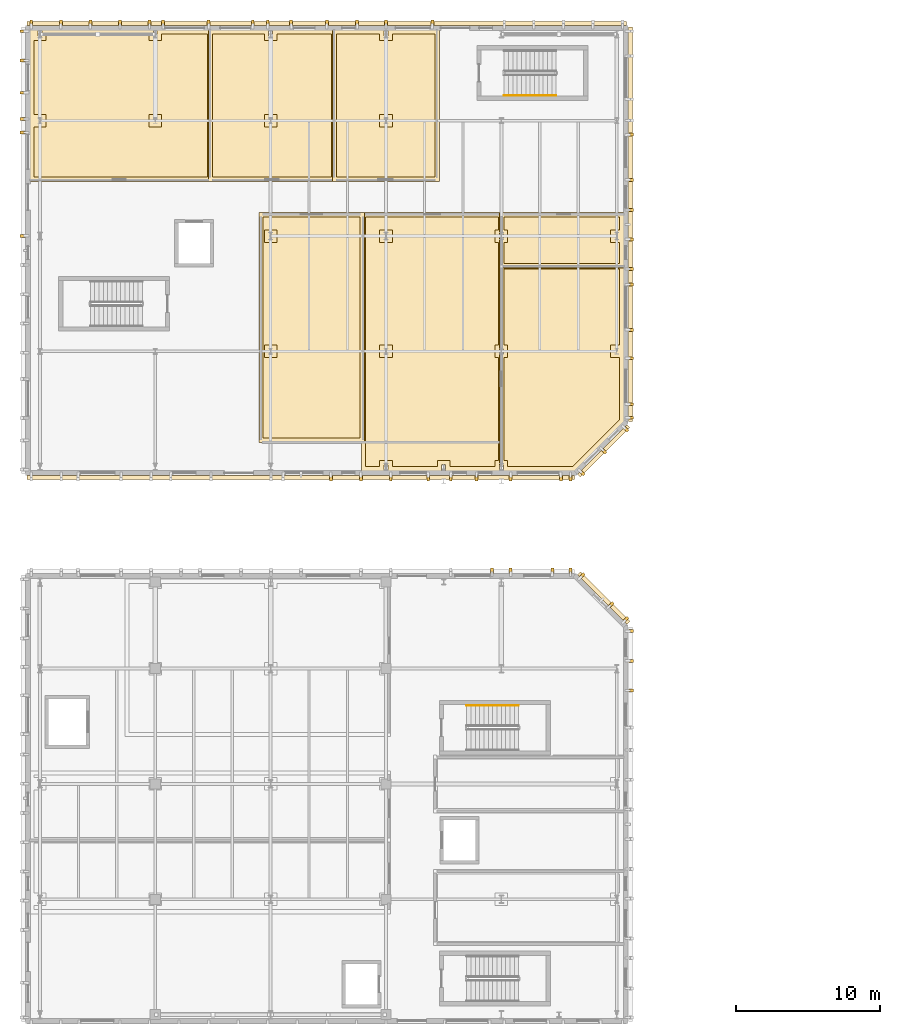
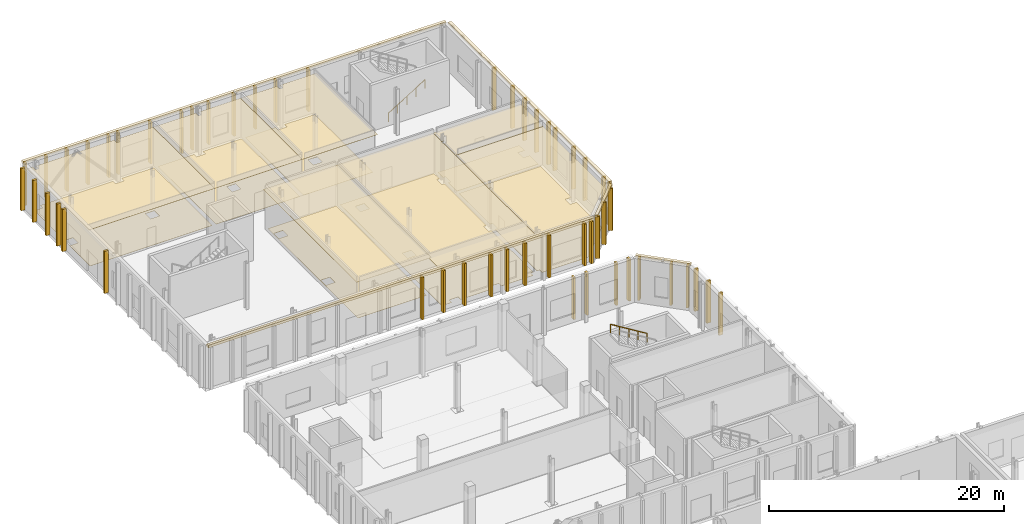
# One storey, part 55 of 60: 71 coverings, 2 railings.
"""IFC4 building model written with IfcOpenShell, lengths in metres."""

from ifc_helpers import new_model, si_unit, direction, frame, origin, origin_2d, place, context, subcontext, project, spatial, polyline, rectangle, circle, outline, extrude, material, layer, layer_set, type_object, element, save


model = new_model("IFC4")

# Units and contexts
model_context = context("Model", 3, precision=1e-05, world=origin(), true_north=direction((0.0, 1.0)))
body_context = subcontext(model_context, "Body", "Model", "MODEL_VIEW")
ifc_project = project(units=[si_unit("LENGTHUNIT", "METRE"), si_unit("AREAUNIT", "SQUARE_METRE"), si_unit("VOLUMEUNIT", "CUBIC_METRE"), si_unit("PLANEANGLEUNIT", "RADIAN"), si_unit("MASSUNIT", "GRAM", prefix="KILO")], contexts=[model_context])

# Site, building, storey
site_placement = place(None, origin())
site = spatial("IfcSite", under=ifc_project, at=site_placement, CompositionType="ELEMENT")
building_placement = place(site_placement, origin())
building = spatial("IfcBuilding", under=site, at=building_placement, Name="Cymarion Research Institute", CompositionType="ELEMENT")
storey_placement = place(building_placement, origin())
storey = spatial("IfcBuildingStorey", under=building, at=storey_placement, Name="L00", CompositionType="ELEMENT", Elevation=0.0)

# Coverings
ifc_material_1 = material(Name="Micro-perforated mineral acoustic ceiling tile", Category="gypsum")
ifc_layer_1 = layer(ifc_material_1, 0.030029296875)
ifc_layer_set_1 = layer_set([ifc_layer_1], Name="Micro-perforated mineral acoustic ceiling tile")
covering_type_1 = type_object("IfcCoveringType", Name="ACOUSTIC MICRO-PERFORATED SUSPENDED CEILING CLG-01", PredefinedType="CEILING", material=ifc_layer_set_1)
covering_1_placement = place(storey_placement, frame((0.0, 0.0, 4.0)))
element("IfcCovering", 1, at=covering_1_placement, inside=storey, type_object=covering_type_1, Name="L00 L00 Climate & Earth-System Dry Modelling Laboratory acoustic ceiling", PredefinedType="CEILING", context=body_context, shape_type="SweptSolid", body=[
    extrude(outline(polyline([(29.114990234375, 103.114990234375), (29.114990234375, 87.18505859375), (21.784912109375, 87.18505859375), (21.784912109375, 103.114990234375), (29.114990234375, 103.114990234375)])), origin(), (0.0, 0.0, 1.0), 0.030029296875),
])
covering_2_placement = place(storey_placement, frame((0.0, 0.0, 4.0)))
element("IfcCovering", 2, at=covering_2_placement, inside=storey, type_object=covering_type_1, Name="L00 L00 High-Performance Computing & Cryo-Data Room acoustic ceiling", PredefinedType="CEILING", context=body_context, shape_type="SweptSolid", body=[
    extrude(outline(polyline([(38.715087890625, 101.635009765625), (38.465087890625, 101.635009765625), (38.465087890625, 101.364990234375), (38.715087890625, 101.364990234375), (38.715087890625, 93.635009765625), (38.465087890625, 93.635009765625), (38.465087890625, 93.364990234375), (38.715087890625, 93.364990234375), (38.715087890625, 85.635009765625), (38.465087890625, 85.635009765625), (38.465087890625, 85.205078125), (34.735107421875, 85.205078125), (34.735107421875, 85.635009765625), (34.465087890625, 85.635009765625), (34.465087890625, 85.205078125), (30.735107421875, 85.205078125), (30.735107421875, 85.635009765625), (30.465087890625, 85.635009765625), (30.465087890625, 85.205078125), (28.885009765625, 85.205078125), (28.885009765625, 103.114990234375), (38.715087890625, 103.114990234375), (38.715087890625, 101.635009765625)])), origin(), (0.0, 0.0, 1.0), 0.030029296875),
])
covering_3_placement = place(storey_placement, frame((0.0, 0.0, 4.0)))
element("IfcCovering", 3, at=covering_3_placement, inside=storey, type_object=covering_type_1, Name="L00 L00 Cryo-Data Cold Tape & UPS Equipment Room acoustic ceiling", PredefinedType="CEILING", context=body_context, shape_type="SweptSolid", body=[
    extrude(outline(polyline([(47.094970703125, 88.626220703125), (43.673583984375, 85.205078125), (38.735107421875, 85.205078125), (38.735107421875, 85.635009765625), (38.485107421875, 85.635009765625), (38.485107421875, 93.364990234375), (38.735107421875, 93.364990234375), (38.735107421875, 93.635009765625), (38.485107421875, 93.635009765625), (38.485107421875, 99.514892578125), (47.094970703125, 99.514892578125), (47.094970703125, 88.626220703125)])), origin(), (0.0, 0.0, 1.0), 0.030029296875),
])
covering_4_placement = place(storey_placement, frame((0.0, 0.0, 4.0)))
element("IfcCovering", 4, at=covering_4_placement, inside=storey, type_object=covering_type_1, Name="L00 L00 Computational Wing Accessible WC acoustic ceiling", PredefinedType="CEILING", context=body_context, shape_type="SweptSolid", body=[
    extrude(outline(polyline([(38.735107421875, 101.364990234375), (38.735107421875, 101.635009765625), (38.485107421875, 101.635009765625), (38.485107421875, 103.114990234375), (47.094970703125, 103.114990234375), (47.094970703125, 99.284912109375), (38.485107421875, 99.284912109375), (38.485107421875, 101.364990234375), (38.735107421875, 101.364990234375)])), origin(), (0.0, 0.0, 1.0), 0.030029296875),
])
covering_5_placement = place(storey_placement, frame((0.0, 0.0, 4.0)))
element("IfcCovering", 5, at=covering_5_placement, inside=storey, type_object=covering_type_1, Name="L00 L00 Principal Investigator Offices North-West acoustic ceiling", PredefinedType="CEILING", context=body_context, shape_type="SweptSolid", body=[
    extrude(outline(polyline([(5.905029296875, 115.794921875), (6.465087890625, 115.794921875), (6.465087890625, 115.364990234375), (6.735107421875, 115.364990234375), (6.735107421875, 115.794921875), (14.465087890625, 115.794921875), (14.465087890625, 115.364990234375), (14.735107421875, 115.364990234375), (14.735107421875, 115.794921875), (18.514892578125, 115.794921875), (18.514892578125, 105.284912109375), (5.905029296875, 105.284912109375), (5.905029296875, 115.794921875)])), origin(), (0.0, 0.0, 1.0), 0.030029296875),
])
covering_6_placement = place(storey_placement, frame((0.0, 0.0, 4.0)))
element("IfcCovering", 6, at=covering_6_placement, inside=storey, type_object=covering_type_1, Name="L00 L00 Postdoctoral Dry Write-Up & Reading Bay acoustic ceiling", PredefinedType="CEILING", context=body_context, shape_type="SweptSolid", body=[
    extrude(outline(polyline([(18.284912109375, 115.794921875), (22.465087890625, 115.794921875), (22.465087890625, 115.364990234375), (22.735107421875, 115.364990234375), (22.735107421875, 115.794921875), (27.114990234375, 115.794921875), (27.114990234375, 105.284912109375), (18.284912109375, 105.284912109375), (18.284912109375, 115.794921875)])), origin(), (0.0, 0.0, 1.0), 0.030029296875),
])
covering_7_placement = place(storey_placement, frame((0.0, 0.0, 4.0)))
element("IfcCovering", 7, at=covering_7_placement, inside=storey, type_object=covering_type_1, Name="L00 L00 Scientific Visualization & Machine-Learning Dry Lab acoustic ceiling", PredefinedType="CEILING", context=body_context, shape_type="SweptSolid", body=[
    extrude(outline(polyline([(26.885009765625, 115.794921875), (30.465087890625, 115.794921875), (30.465087890625, 115.364990234375), (30.735107421875, 115.364990234375), (30.735107421875, 115.794921875), (34.31494140625, 115.794921875), (34.31494140625, 105.284912109375), (26.885009765625, 105.284912109375), (26.885009765625, 115.794921875)])), origin(), (0.0, 0.0, 1.0), 0.030029296875),
])
ifc_material_2 = material(Name="Precast concrete C45/55 architectural white", Category="concrete")
ifc_layer_2 = layer(ifc_material_2, 0.260009765625)
ifc_layer_set_2 = layer_set([ifc_layer_2], Name="Precast concrete C45/55 architectural white")
covering_type_2 = type_object("IfcCoveringType", Name="SCULPTURAL WHITE PRECAST CONCRETE SPANDREL BROW BAND RIB2 280MM", PredefinedType="CLADDING", material=ifc_layer_set_2)
covering_8_placement = place(storey_placement, frame((45.700439453125, 76.400390625, 4.39013671875), z_axis=(0.0, 0.0, 1.0), x_axis=(0.707106781187, 0.707106781187, 0.0)))
element("IfcCovering", 8, at=covering_8_placement, inside=storey, type_object=covering_type_2, Name="L00 V4 precast spandrel brow band RIB2 #107", PredefinedType="CLADDING", context=body_context, shape_type="SweptSolid", body=[
    extrude(rectangle(XDim=0.280029296875, YDim=4.85107421875, at=origin_2d()), origin(), (0.0, 0.0, 1.0), 0.260009765625),
])
covering_9_placement = place(storey_placement, frame((24.699951171875, 84.758056640625, 4.39013671875), z_axis=(0.0, 0.0, 1.0), x_axis=(0.0, -1.0, 0.0)))
element("IfcCovering", 9, at=covering_9_placement, inside=storey, type_object=covering_type_2, Name="L00 V5 precast spandrel brow band RIB2 #145", PredefinedType="CLADDING", context=body_context, shape_type="SweptSolid", body=[
    extrude(rectangle(XDim=0.280029296875, YDim=37.9599609375, at=origin_2d()), origin(), (0.0, 0.0, 1.0), 0.260009765625),
])
covering_10_placement = place(storey_placement, frame((45.700439453125, 86.599609375, 4.39013671875), z_axis=(0.0, 0.0, 1.0), x_axis=(0.707106781187, -0.707106781187, 0.0)))
element("IfcCovering", 10, at=covering_10_placement, inside=storey, type_object=covering_type_2, Name="L00 V5 precast spandrel brow band RIB2 #164", PredefinedType="CLADDING", context=body_context, shape_type="SweptSolid", body=[
    extrude(rectangle(XDim=0.280029296875, YDim=4.85107421875, at=origin_2d()), origin(), (0.0, 0.0, 1.0), 0.260009765625),
])
covering_11_placement = place(storey_placement, frame((47.5419921875, 102.300048828125, 4.39013671875), z_axis=(0.0, 0.0, 1.0), x_axis=(1.0, 0.0, 0.0)))
element("IfcCovering", 11, at=covering_11_placement, inside=storey, type_object=covering_type_2, Name="L00 V5 precast spandrel brow band RIB2 #168", PredefinedType="CLADDING", context=body_context, shape_type="SweptSolid", body=[
    extrude(rectangle(XDim=0.280029296875, YDim=27.360107421875, at=origin_2d()), origin(), (0.0, 0.0, 1.0), 0.260009765625),
])
covering_12_placement = place(storey_placement, frame((26.5, 116.241943359375, 4.39013671875), z_axis=(0.0, 0.0, 1.0), x_axis=(0.0, 1.0, 0.0)))
element("IfcCovering", 12, at=covering_12_placement, inside=storey, type_object=covering_type_2, Name="L00 V5 precast spandrel brow band RIB2 #183", PredefinedType="CLADDING", context=body_context, shape_type="SweptSolid", body=[
    extrude(rectangle(XDim=0.280029296875, YDim=41.56005859375, at=origin_2d()), origin(), (0.0, 0.0, 1.0), 0.260009765625),
])
ifc_layer_3 = layer(ifc_material_2, 0.199951171875)
ifc_layer_set_3 = layer_set([ifc_layer_3], Name="Precast concrete C45/55 architectural white")
covering_type_3 = type_object("IfcCoveringType", Name="SCULPTURAL WHITE PRECAST CONCRETE VERTICAL RIB RIB1 380X200", PredefinedType="CLADDING", material=ifc_layer_set_3)
for number, where, z_axis, x_axis, name in (
    (13, (47.592041015625, 69.976806640625, 0.010009765625), (0.0, 0.0, 1.0), (1.0, 0.0, 0.0), "L00 V4 sculptural precast vertical rib RIB1 #104"),
    (14, (47.592041015625, 72.03857421875, 0.010009765625), (0.0, 0.0, 1.0), (1.0, 0.0, 0.0), "L00 V4 sculptural precast vertical rib RIB1 #105"),
    (15, (47.592041015625, 74.10009765625, 0.010009765625), (0.0, 0.0, 1.0), (1.0, 0.0, 0.0), "L00 V4 sculptural precast vertical rib RIB1 #106"),
    (16, (47.2529296875, 74.918701171875, 0.010009765625), (0.0, 0.0, 1.0), (0.707106781187, 0.707106781187, 0.0), "L00 V4 sculptural precast vertical rib RIB1 #108"),
    (17, (46.222900390625, 75.94873046875, 0.010009765625), (0.0, 0.0, 1.0), (0.707106781187, 0.707106781187, 0.0), "L00 V4 sculptural precast vertical rib RIB1 #109"),
    (18, (44.218505859375, 77.952880859375, 0.010009765625), (0.0, 0.0, 1.0), (0.707106781187, 0.707106781187, 0.0), "L00 V4 sculptural precast vertical rib RIB1 #110"),
    (19, (43.39990234375, 78.2919921875, 0.010009765625), (0.0, 0.0, 1.0), (0.0, 1.0, 0.0), "L00 V4 sculptural precast vertical rib RIB1 #112"),
    (20, (42.13818359375, 78.2919921875, 0.010009765625), (0.0, 0.0, 1.0), (0.0, 1.0, 0.0), "L00 V4 sculptural precast vertical rib RIB1 #113"),
    (21, (39.244384765625, 78.2919921875, 0.010009765625), (0.0, 0.0, 1.0), (0.0, 1.0, 0.0), "L00 V4 sculptural precast vertical rib RIB1 #114"),
    (22, (37.9501953125, 78.2919921875, 0.010009765625), (0.0, 0.0, 1.0), (0.0, 1.0, 0.0), "L00 V4 sculptural precast vertical rib RIB1 #115"),
    (23, (26.77783203125, 84.7080078125, 0.010009765625), (0.0, 0.0, 1.0), (0.0, -1.0, 0.0), "L00 V5 sculptural precast vertical rib RIB1 #155"),
    (24, (28.855712890625, 84.7080078125, 0.010009765625), (0.0, 0.0, 1.0), (0.0, -1.0, 0.0), "L00 V5 sculptural precast vertical rib RIB1 #156"),
    (25, (30.933349609375, 84.7080078125, 0.010009765625), (0.0, 0.0, 1.0), (0.0, -1.0, 0.0), "L00 V5 sculptural precast vertical rib RIB1 #157"),
    (26, (33.530029296875, 84.7080078125, 0.010009765625), (0.0, 0.0, 1.0), (0.0, -1.0, 0.0), "L00 V5 sculptural precast vertical rib RIB1 #158"),
    (27, (35.0888671875, 84.7080078125, 0.010009765625), (0.0, 0.0, 1.0), (0.0, -1.0, 0.0), "L00 V5 sculptural precast vertical rib RIB1 #159"),
    (28, (36.8798828125, 84.7080078125, 0.010009765625), (0.0, 0.0, 1.0), (0.0, -1.0, 0.0), "L00 V5 sculptural precast vertical rib RIB1 #160"),
    (29, (39.244384765625, 84.7080078125, 0.010009765625), (0.0, 0.0, 1.0), (0.0, -1.0, 0.0), "L00 V5 sculptural precast vertical rib RIB1 #161"),
    (30, (42.72509765625, 84.7080078125, 0.010009765625), (0.0, 0.0, 1.0), (0.0, -1.0, 0.0), "L00 V5 sculptural precast vertical rib RIB1 #162"),
    (31, (43.39990234375, 84.7080078125, 0.010009765625), (0.0, 0.0, 1.0), (0.0, -1.0, 0.0), "L00 V5 sculptural precast vertical rib RIB1 #163"),
    (32, (44.218505859375, 85.047119140625, 0.010009765625), (0.0, 0.0, 1.0), (0.707106781187, -0.707106781187, 0.0), "L00 V5 sculptural precast vertical rib RIB1 #165"),
    (33, (45.73583984375, 86.564208984375, 0.010009765625), (0.0, 0.0, 1.0), (0.707106781187, -0.707106781187, 0.0), "L00 V5 sculptural precast vertical rib RIB1 #166"),
    (34, (47.2529296875, 88.081298828125, 0.010009765625), (0.0, 0.0, 1.0), (0.707106781187, -0.707106781187, 0.0), "L00 V5 sculptural precast vertical rib RIB1 #167"),
    (35, (47.592041015625, 88.89990234375, 0.010009765625), (0.0, 0.0, 1.0), (1.0, 0.0, 0.0), "L00 V5 sculptural precast vertical rib RIB1 #169"),
    (36, (47.592041015625, 89.8369140625, 0.010009765625), (0.0, 0.0, 1.0), (1.0, 0.0, 0.0), "L00 V5 sculptural precast vertical rib RIB1 #170"),
    (37, (47.592041015625, 93.023193359375, 0.010009765625), (0.0, 0.0, 1.0), (1.0, 0.0, 0.0), "L00 V5 sculptural precast vertical rib RIB1 #171"),
    (38, (47.592041015625, 94.994873046875, 0.010009765625), (0.0, 0.0, 1.0), (1.0, 0.0, 0.0), "L00 V5 sculptural precast vertical rib RIB1 #172"),
    (39, (47.592041015625, 98.144775390625, 0.010009765625), (0.0, 0.0, 1.0), (1.0, 0.0, 0.0), "L00 V5 sculptural precast vertical rib RIB1 #173"),
    (40, (47.592041015625, 99.207763671875, 0.010009765625), (0.0, 0.0, 1.0), (1.0, 0.0, 0.0), "L00 V5 sculptural precast vertical rib RIB1 #174"),
    (41, (47.592041015625, 101.269287109375, 0.010009765625), (0.0, 0.0, 1.0), (1.0, 0.0, 0.0), "L00 V5 sculptural precast vertical rib RIB1 #175"),
    (42, (47.592041015625, 103.2998046875, 0.010009765625), (0.0, 0.0, 1.0), (1.0, 0.0, 0.0), "L00 V5 sculptural precast vertical rib RIB1 #176"),
    (43, (47.592041015625, 105.392333984375, 0.010009765625), (0.0, 0.0, 1.0), (1.0, 0.0, 0.0), "L00 V5 sculptural precast vertical rib RIB1 #177"),
    (44, (47.592041015625, 108.52978515625, 0.010009765625), (0.0, 0.0, 1.0), (1.0, 0.0, 0.0), "L00 V5 sculptural precast vertical rib RIB1 #178"),
    (45, (33.81494140625, 116.2919921875, 0.010009765625), (0.0, 0.0, 1.0), (0.0, 1.0, 0.0), "L00 V5 sculptural precast vertical rib RIB1 #189"),
    (46, (30.60009765625, 116.2919921875, 0.010009765625), (0.0, 0.0, 1.0), (0.0, 1.0, 0.0), "L00 V5 sculptural precast vertical rib RIB1 #190"),
    (47, (28.60009765625, 116.2919921875, 0.010009765625), (0.0, 0.0, 1.0), (0.0, 1.0, 0.0), "L00 V5 sculptural precast vertical rib RIB1 #191"),
    (48, (26.5, 116.2919921875, 0.010009765625), (0.0, 0.0, 1.0), (0.0, 1.0, 0.0), "L00 V5 sculptural precast vertical rib RIB1 #192"),
    (49, (24.02001953125, 116.2919921875, 0.010009765625), (0.0, 0.0, 1.0), (0.0, 1.0, 0.0), "L00 V5 sculptural precast vertical rib RIB1 #193"),
    (50, (22.39990234375, 116.2919921875, 0.010009765625), (0.0, 0.0, 1.0), (0.0, 1.0, 0.0), "L00 V5 sculptural precast vertical rib RIB1 #194"),
    (51, (21.360107421875, 116.2919921875, 0.010009765625), (0.0, 0.0, 1.0), (0.0, 1.0, 0.0), "L00 V5 sculptural precast vertical rib RIB1 #195"),
    (52, (18.300048828125, 116.2919921875, 0.010009765625), (0.0, 0.0, 1.0), (0.0, 1.0, 0.0), "L00 V5 sculptural precast vertical rib RIB1 #196"),
    (53, (15.1298828125, 116.2919921875, 0.010009765625), (0.0, 0.0, 1.0), (0.0, 1.0, 0.0), "L00 V5 sculptural precast vertical rib RIB1 #197"),
    (54, (14.199951171875, 116.2919921875, 0.010009765625), (0.0, 0.0, 1.0), (0.0, 1.0, 0.0), "L00 V5 sculptural precast vertical rib RIB1 #198"),
    (55, (12.14990234375, 116.2919921875, 0.010009765625), (0.0, 0.0, 1.0), (0.0, 1.0, 0.0), "L00 V5 sculptural precast vertical rib RIB1 #199"),
    (56, (10.10009765625, 116.2919921875, 0.010009765625), (0.0, 0.0, 1.0), (0.0, 1.0, 0.0), "L00 V5 sculptural precast vertical rib RIB1 #200"),
    (57, (8.050048828125, 116.2919921875, 0.010009765625), (0.0, 0.0, 1.0), (0.0, 1.0, 0.0), "L00 V5 sculptural precast vertical rib RIB1 #201"),
    (58, (6.0, 116.2919921875, 0.010009765625), (0.0, 0.0, 1.0), (0.0, 1.0, 0.0), "L00 V5 sculptural precast vertical rib RIB1 #202"),
    (59, (5.407958984375, 115.699951171875, 0.010009765625), (0.0, 0.0, 1.0), (-1.0, 0.0, 0.0), "L00 V5 sculptural precast vertical rib RIB1 #204"),
    (60, (5.407958984375, 113.67333984375, 0.010009765625), (0.0, 0.0, 1.0), (-1.0, 0.0, 0.0), "L00 V5 sculptural precast vertical rib RIB1 #205"),
    (61, (5.407958984375, 111.43994140625, 0.010009765625), (0.0, 0.0, 1.0), (-1.0, 0.0, 0.0), "L00 V5 sculptural precast vertical rib RIB1 #206"),
    (62, (5.407958984375, 109.6201171875, 0.010009765625), (0.0, 0.0, 1.0), (-1.0, 0.0, 0.0), "L00 V5 sculptural precast vertical rib RIB1 #207"),
    (63, (5.407958984375, 108.68505859375, 0.010009765625), (0.0, 0.0, 1.0), (-1.0, 0.0, 0.0), "L00 V5 sculptural precast vertical rib RIB1 #208"),
    (64, (5.407958984375, 101.51318359375, 0.010009765625), (0.0, 0.0, 1.0), (-1.0, 0.0, 0.0), "L00 V5 sculptural precast vertical rib RIB1 #209"),
):
    element("IfcCovering", number, at=place(storey_placement, frame(where, z_axis=z_axis, x_axis=x_axis)), inside=storey, type_object=covering_type_3, Name=name, PredefinedType="CLADDING", context=body_context, shape_type="SweptSolid", body=[
        extrude(rectangle(XDim=0.3798828125, YDim=0.199951171875, at=origin_2d()), origin(), (0.0, 0.0, 1.0), 4.375),
    ])
ifc_material_3 = material(Name="Seamless dissipative epoxy resin flooring", Category="resin")
ifc_layer_4 = layer(ifc_material_3, 0.02001953125)
ifc_layer_set_4 = layer_set([ifc_layer_4], Name="Seamless dissipative epoxy resin flooring")
covering_type_4 = type_object("IfcCoveringType", Name="SEAMLESS ESD EPOXY LABORATORY FLOORING FLR-01", PredefinedType="FLOORING", material=ifc_layer_set_4)
covering_13_placement = place(storey_placement, origin())
element("IfcCovering", 65, at=covering_13_placement, inside=storey, type_object=covering_type_4, Name="L00 L00 Climate & Earth-System Dry Modelling Laboratory ESD epoxy flooring", PredefinedType="FLOORING", context=body_context, shape_type="SweptSolid", body=[
    extrude(outline(polyline([(22.0849609375, 102.81494140625), (28.81494140625, 102.81494140625), (28.81494140625, 87.485107421875), (22.0849609375, 87.485107421875), (22.0849609375, 102.81494140625)]), holes=[polyline([(23.034912109375, 93.93505859375), (22.1650390625, 93.93505859375), (22.1650390625, 93.06494140625), (23.034912109375, 93.06494140625), (23.034912109375, 93.93505859375)]), polyline([(23.034912109375, 101.93505859375), (22.1650390625, 101.93505859375), (22.1650390625, 101.06494140625), (23.034912109375, 101.06494140625), (23.034912109375, 101.93505859375)])]), origin(), (0.0, 0.0, 1.0), 0.02001953125),
])
covering_14_placement = place(storey_placement, origin())
element("IfcCovering", 66, at=covering_14_placement, inside=storey, type_object=covering_type_4, Name="L00 L00 High-Performance Computing & Cryo-Data Room ESD epoxy flooring", PredefinedType="FLOORING", context=body_context, shape_type="SweptSolid", body=[
    extrude(outline(polyline([(38.4150390625, 102.81494140625), (38.4150390625, 101.93505859375), (38.1650390625, 101.93505859375), (38.1650390625, 101.06494140625), (38.4150390625, 101.06494140625), (38.4150390625, 93.93505859375), (38.1650390625, 93.93505859375), (38.1650390625, 93.06494140625), (38.4150390625, 93.06494140625), (38.4150390625, 85.93505859375), (38.1650390625, 85.93505859375), (38.1650390625, 85.5048828125), (35.034912109375, 85.5048828125), (35.034912109375, 85.93505859375), (34.1650390625, 85.93505859375), (34.1650390625, 85.5048828125), (31.034912109375, 85.5048828125), (31.034912109375, 85.93505859375), (30.1650390625, 85.93505859375), (30.1650390625, 85.5048828125), (29.18505859375, 85.5048828125), (29.18505859375, 102.81494140625), (38.4150390625, 102.81494140625)]), holes=[polyline([(31.034912109375, 93.93505859375), (30.1650390625, 93.93505859375), (30.1650390625, 93.06494140625), (31.034912109375, 93.06494140625), (31.034912109375, 93.93505859375)]), polyline([(31.034912109375, 101.93505859375), (30.1650390625, 101.93505859375), (30.1650390625, 101.06494140625), (31.034912109375, 101.06494140625), (31.034912109375, 101.93505859375)])]), origin(), (0.0, 0.0, 1.0), 0.02001953125),
])
covering_15_placement = place(storey_placement, origin())
element("IfcCovering", 67, at=covering_15_placement, inside=storey, type_object=covering_type_4, Name="L00 L00 Cryo-Data Cold Tape & UPS Equipment Room ESD epoxy flooring", PredefinedType="FLOORING", context=body_context, shape_type="SweptSolid", body=[
    extrude(outline(polyline([(46.794921875, 93.06494140625), (46.794921875, 88.75048828125), (43.54931640625, 85.5048828125), (39.034912109375, 85.5048828125), (39.034912109375, 85.93505859375), (38.784912109375, 85.93505859375), (38.784912109375, 93.06494140625), (39.034912109375, 93.06494140625), (39.034912109375, 93.93505859375), (38.784912109375, 93.93505859375), (38.784912109375, 99.215087890625), (46.794921875, 99.215087890625), (46.794921875, 93.93505859375), (46.1650390625, 93.93505859375), (46.1650390625, 93.06494140625), (46.794921875, 93.06494140625)])), origin(), (0.0, 0.0, 1.0), 0.02001953125),
])
covering_16_placement = place(storey_placement, origin())
element("IfcCovering", 68, at=covering_16_placement, inside=storey, type_object=covering_type_4, Name="L00 L00 Computational Wing Accessible WC ESD epoxy flooring", PredefinedType="FLOORING", context=body_context, shape_type="SweptSolid", body=[
    extrude(outline(polyline([(38.784912109375, 101.06494140625), (39.034912109375, 101.06494140625), (39.034912109375, 101.93505859375), (38.784912109375, 101.93505859375), (38.784912109375, 102.81494140625), (46.794921875, 102.81494140625), (46.794921875, 101.93505859375), (46.1650390625, 101.93505859375), (46.1650390625, 101.06494140625), (46.794921875, 101.06494140625), (46.794921875, 99.5849609375), (38.784912109375, 99.5849609375), (38.784912109375, 101.06494140625)])), origin(), (0.0, 0.0, 1.0), 0.02001953125),
])
covering_17_placement = place(storey_placement, origin())
element("IfcCovering", 69, at=covering_17_placement, inside=storey, type_object=covering_type_4, Name="L00 L00 Principal Investigator Offices North-West ESD epoxy flooring", PredefinedType="FLOORING", context=body_context, shape_type="SweptSolid", body=[
    extrude(outline(polyline([(6.205078125, 105.5849609375), (6.205078125, 109.06494140625), (7.034912109375, 109.06494140625), (7.034912109375, 109.93505859375), (6.205078125, 109.93505859375), (6.205078125, 115.06494140625), (7.034912109375, 115.06494140625), (7.034912109375, 115.4951171875), (14.1650390625, 115.4951171875), (14.1650390625, 115.06494140625), (15.034912109375, 115.06494140625), (15.034912109375, 115.4951171875), (18.215087890625, 115.4951171875), (18.215087890625, 105.5849609375), (6.205078125, 105.5849609375)]), holes=[polyline([(15.034912109375, 109.93505859375), (14.1650390625, 109.93505859375), (14.1650390625, 109.06494140625), (15.034912109375, 109.06494140625), (15.034912109375, 109.93505859375)])]), origin(), (0.0, 0.0, 1.0), 0.02001953125),
])
covering_18_placement = place(storey_placement, origin())
element("IfcCovering", 70, at=covering_18_placement, inside=storey, type_object=covering_type_4, Name="L00 L00 Postdoctoral Dry Write-Up & Reading Bay ESD epoxy flooring", PredefinedType="FLOORING", context=body_context, shape_type="SweptSolid", body=[
    extrude(outline(polyline([(18.5849609375, 105.5849609375), (18.5849609375, 115.4951171875), (22.1650390625, 115.4951171875), (22.1650390625, 115.06494140625), (23.034912109375, 115.06494140625), (23.034912109375, 115.4951171875), (26.81494140625, 115.4951171875), (26.81494140625, 105.5849609375), (18.5849609375, 105.5849609375)]), holes=[polyline([(23.034912109375, 109.93505859375), (22.1650390625, 109.93505859375), (22.1650390625, 109.06494140625), (23.034912109375, 109.06494140625), (23.034912109375, 109.93505859375)])]), origin(), (0.0, 0.0, 1.0), 0.02001953125),
])
covering_19_placement = place(storey_placement, origin())
element("IfcCovering", 71, at=covering_19_placement, inside=storey, type_object=covering_type_4, Name="L00 L00 Scientific Visualization & Machine-Learning Dry Lab ESD epoxy flooring", PredefinedType="FLOORING", context=body_context, shape_type="SweptSolid", body=[
    extrude(outline(polyline([(27.18505859375, 105.5849609375), (27.18505859375, 115.4951171875), (30.1650390625, 115.4951171875), (30.1650390625, 115.06494140625), (31.034912109375, 115.06494140625), (31.034912109375, 115.4951171875), (34.014892578125, 115.4951171875), (34.014892578125, 105.5849609375), (27.18505859375, 105.5849609375)]), holes=[polyline([(31.034912109375, 109.93505859375), (30.1650390625, 109.93505859375), (30.1650390625, 109.06494140625), (31.034912109375, 109.06494140625), (31.034912109375, 109.93505859375)])]), origin(), (0.0, 0.0, 1.0), 0.02001953125),
])

# Railings
ifc_material_4 = material(Name="Steel S355", Category="steel")
railing_type = type_object("IfcRailingType", Name="STAINLESS STEEL STAIR HANDRAIL HR1 900MM", PredefinedType="HANDRAIL", material=ifc_material_4)
railing_1_placement = place(storey_placement, frame((39.800048828125, 68.949951171875, 2.584716796875)))
element("IfcRailing", 72, at=railing_1_placement, inside=storey, type_object=railing_type, Name="L00 ST8 stair handrail 2", PredefinedType="HANDRAIL", context=body_context, shape_type="SweptSolid", body=[
    extrude(circle(Radius=0.02392578125, at=origin_2d()), frame((0.0, 0.0, 0.8759765625), z_axis=(-0.85167021472, 0.0, 0.524078090897), x_axis=(0.0, -1.0, 0.0)), (0.0, 0.0, 1.0), 4.22705078125),
    extrude(circle(Radius=0.02099609375, at=origin_2d()), origin(), (0.0, 0.0, 1.0), 0.851806640625),
    extrude(circle(Radius=0.02099609375, at=origin_2d()), frame((-0.89990234375, 0.0, 0.5537109375)), (0.0, 0.0, 1.0), 0.851806640625),
    extrude(circle(Radius=0.02099609375, at=origin_2d()), frame((-1.800048828125, 0.0, 1.107666015625)), (0.0, 0.0, 1.0), 0.851806640625),
    extrude(circle(Radius=0.02099609375, at=origin_2d()), frame((-2.7001953125, 0.0, 1.66162109375)), (0.0, 0.0, 1.0), 0.851806640625),
    extrude(circle(Radius=0.02099609375, at=origin_2d()), frame((-3.60009765625, 0.0, 2.21533203125)), (0.0, 0.0, 1.0), 0.851806640625),
])
railing_2_placement = place(storey_placement, frame((38.800048828125, 111.25, 0.1845703125)))
element("IfcRailing", 73, at=railing_2_placement, inside=storey, type_object=railing_type, Name="L00 ST10 stair handrail 1", PredefinedType="HANDRAIL", context=body_context, shape_type="SweptSolid", body=[
    extrude(circle(Radius=0.02392578125, at=origin_2d()), frame((0.0, 0.0, 0.8759765625), z_axis=(0.851654350407, 0.0, 0.524103870844), x_axis=(0.0, 1.0, 0.0)), (0.0, 0.0, 1.0), 4.226806640625),
    extrude(circle(Radius=0.02099609375, at=origin_2d()), origin(), (0.0, 0.0, 1.0), 0.851806640625),
    extrude(circle(Radius=0.02099609375, at=origin_2d()), frame((0.89990234375, 0.0, 0.5537109375)), (0.0, 0.0, 1.0), 0.851806640625),
    extrude(circle(Radius=0.02099609375, at=origin_2d()), frame((1.7998046875, 0.0, 1.107666015625)), (0.0, 0.0, 1.0), 0.851806640625),
    extrude(circle(Radius=0.02099609375, at=origin_2d()), frame((2.699951171875, 0.0, 1.66162109375)), (0.0, 0.0, 1.0), 0.851806640625),
    extrude(circle(Radius=0.02099609375, at=origin_2d()), frame((3.599853515625, 0.0, 2.21533203125)), (0.0, 0.0, 1.0), 0.851806640625),
])

save(model, "model.ifc")
